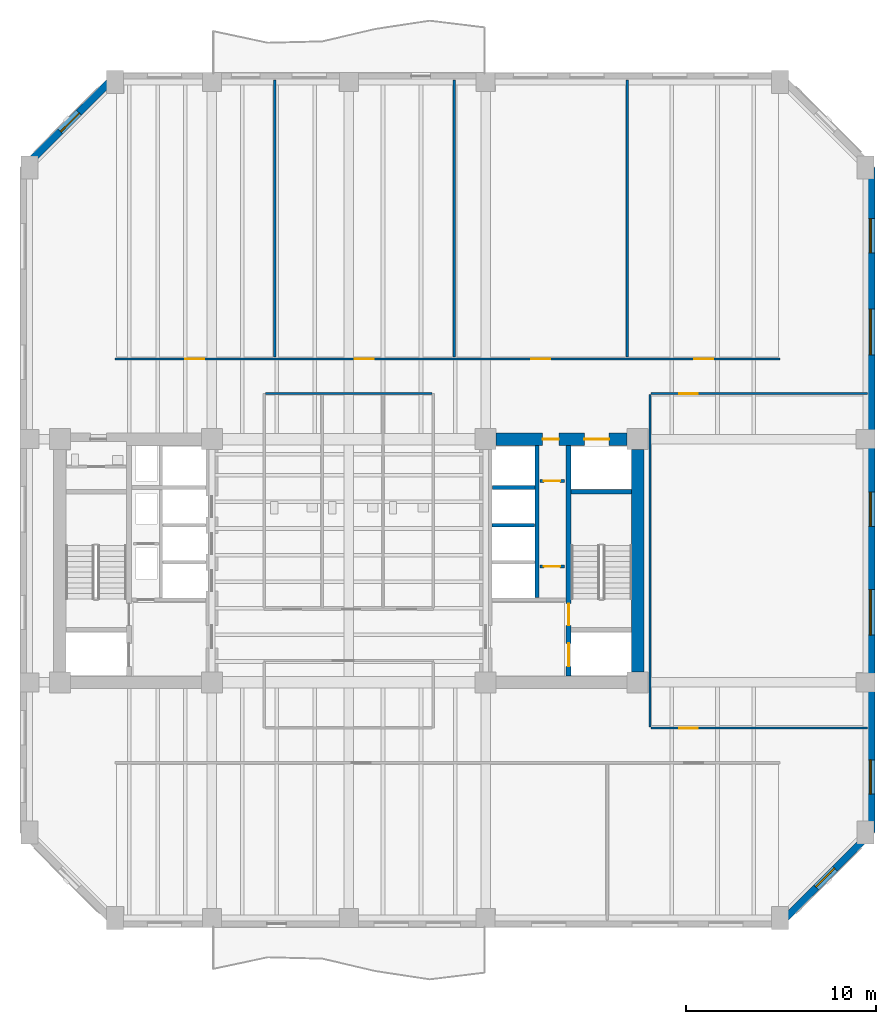
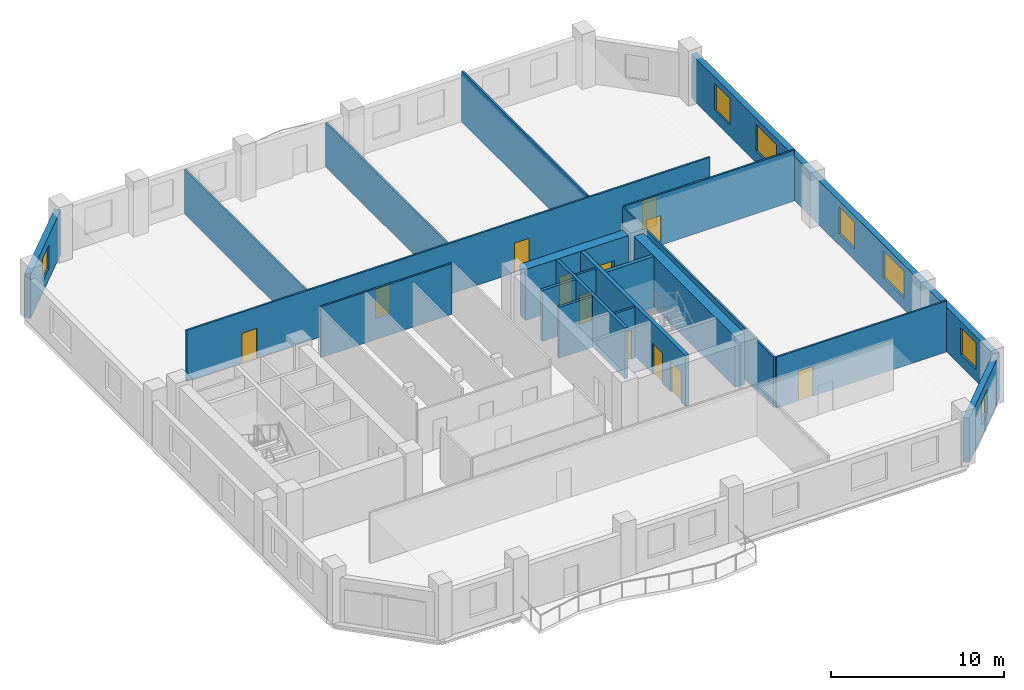
# One storey, part 4 of 9: 20 walls, 12 doors, 7 windows, 19 openings.
"""IFC4 building model written with IfcOpenShell, lengths in metres."""

from ifc_helpers import new_model, si_unit, direction, frame, frame_2d, origin, place, context, subcontext, project, spatial, rectangle, extrude, material, layer, layer_set, type_object, element, fill, save


model = new_model("IFC4")

# Units and contexts
model_context = context("Model", 3, precision=1e-05, world=origin(), true_north=direction((0.0, 1.0)))
body_context = subcontext(model_context, "Body", "Model", "MODEL_VIEW")
ifc_project = project(units=[si_unit("LENGTHUNIT", "METRE"), si_unit("AREAUNIT", "SQUARE_METRE"), si_unit("VOLUMEUNIT", "CUBIC_METRE"), si_unit("PLANEANGLEUNIT", "RADIAN"), si_unit("MASSUNIT", "GRAM", prefix="KILO")], contexts=[model_context])

# Site, building, storey
site_placement = place(None, origin())
site = spatial("IfcSite", under=ifc_project, at=site_placement, CompositionType="ELEMENT")
building_placement = place(site_placement, origin())
building = spatial("IfcBuilding", under=site, at=building_placement, Name="Kranthara Brick Stack", CompositionType="ELEMENT")
storey_placement = place(building_placement, frame((0.0, 0.0, 78.89990234375)))
storey = spatial("IfcBuildingStorey", under=building, at=storey_placement, Name="L19", CompositionType="ELEMENT", Elevation=78.89990234375)

# Wall, opening, window
ifc_material_1 = material(Name="Kiln-fired clay brick masonry M15", Category="masonry")
ifc_layer_1 = layer(ifc_material_1, 0.3798828125)
ifc_layer_set_1 = layer_set([ifc_layer_1], Name="Kiln-fired clay brick masonry M15")
wall_type_1 = type_object("IfcWallType", Name="WL-BRK-PIER-380", PredefinedType="STANDARD", material=ifc_layer_set_1)
wall_1_placement = place(storey_placement, frame((10.909912109375, 47.89990234375, 0.0), z_axis=(0.0, 0.0, 1.0), x_axis=(0.707106781187, 0.707106781187, 0.0)))
wall_1 = element("IfcWall", 1, at=wall_1_placement, inside=storey, type_object=wall_type_1, Name="L19 Exterior Brick Facade Wall NW 1", PredefinedType="STANDARD", context=body_context, shape_type="SweptSolid", body=[
    extrude(rectangle(XDim=6.774169921875, YDim=0.3798828125, at=frame_2d((3.38720703125, 0.0))), origin(), (0.0, 0.0, 1.0), 3.135009765625),
])
opening_1_placement = place(wall_1_placement, frame((2.68701171875, 0.0, 0.800048828125)))
opening_1 = element("IfcOpeningElement", 2, at=opening_1_placement, cuts=wall_1, Name="Opening WN10", PredefinedType="OPENING", context=body_context, shape_type="SweptSolid", body=[
    extrude(rectangle(XDim=1.39990234375, YDim=1.64990234375, at=frame_2d((0.699951171875, 0.824951171875))), frame((0.0, 0.199951171875, 0.0), z_axis=(0.0, -1.0, 0.0), x_axis=(1.0, 0.0, 0.0)), (0.0, 0.0, 1.0), 0.39990234375),
])
ifc_material_2 = material(Name="Double-glazed low-E solar control glass", Category="glass")
window_type_1 = type_object("IfcWindowType", Name="WN-CHM-1400x1750", PartitioningType="SINGLE_PANEL", PredefinedType="WINDOW", material=ifc_material_2)
window_1_placement = place(opening_1_placement, origin())
window_1 = element("IfcWindow", 3, at=window_1_placement, inside=storey, type_object=window_type_1, Name="L19 NW Chamfer Corner Window", OverallHeight=1.64990234375, OverallWidth=1.39990234375, PartitioningType="SINGLE_PANEL", PredefinedType="WINDOW", context=body_context, shape_type="SweptSolid", body=[
    extrude(rectangle(XDim=1.39990234375, YDim=1.64990234375, at=frame_2d((0.699951171875, 0.824951171875))), frame((0.0, -0.010009765625, 0.0), z_axis=(0.0, -1.0, 0.0), x_axis=(1.0, 0.0, 0.0)), (0.0, 0.0, 1.0), 0.06005859375),
])
fill(opening_1, window_1)

# Wall, openings, windows
wall_2_placement = place(storey_placement, frame((55.489990234375, 47.89990234375, 0.0), z_axis=(0.0, 0.0, 1.0), x_axis=(0.0, -1.0, 0.0)))
wall_2 = element("IfcWall", 4, at=wall_2_placement, inside=storey, type_object=wall_type_1, Name="L19 Exterior Brick Facade Wall EAST 1", PredefinedType="STANDARD", context=body_context, shape_type="SweptSolid", body=[
    extrude(rectangle(XDim=35.0, YDim=0.3798828125, at=frame_2d((17.5, 0.0))), origin(), (0.0, 0.0, 1.0), 3.135009765625),
])
opening_2_placement = place(wall_2_placement, frame((2.693115234375, 0.0, 0.800048828125)))
opening_2 = element("IfcOpeningElement", 5, at=opening_2_placement, cuts=wall_2, Name="Opening WN01", PredefinedType="OPENING", context=body_context, shape_type="SweptSolid", body=[
    extrude(rectangle(XDim=1.800048828125, YDim=1.89990234375, at=frame_2d((0.89990234375, 0.949951171875))), frame((0.0, 0.199951171875, 0.0), z_axis=(0.0, -1.0, 0.0), x_axis=(1.0, 0.0, 0.0)), (0.0, 0.0, 1.0), 0.39990234375),
])
opening_3_placement = place(wall_2_placement, frame((7.45703125, 0.0, 0.800048828125)))
opening_3 = element("IfcOpeningElement", 6, at=opening_3_placement, cuts=wall_2, Name="Opening WN02", PredefinedType="OPENING", context=body_context, shape_type="SweptSolid", body=[
    extrude(rectangle(XDim=2.39990234375, YDim=1.89990234375, at=frame_2d((1.199951171875, 0.949951171875))), frame((0.0, 0.199951171875, 0.0), z_axis=(0.0, -1.0, 0.0), x_axis=(1.0, 0.0, 0.0)), (0.0, 0.0, 1.0), 0.39990234375),
])
opening_4_placement = place(wall_2_placement, frame((17.087890625, 0.0, 0.800048828125)))
opening_4 = element("IfcOpeningElement", 7, at=opening_4_placement, cuts=wall_2, Name="Opening WN01", PredefinedType="OPENING", context=body_context, shape_type="SweptSolid", body=[
    extrude(rectangle(XDim=1.800048828125, YDim=1.89990234375, at=frame_2d((0.89990234375, 0.949951171875))), frame((0.0, 0.199951171875, 0.0), z_axis=(0.0, -1.0, 0.0), x_axis=(1.0, 0.0, 0.0)), (0.0, 0.0, 1.0), 0.39990234375),
])
opening_5_placement = place(wall_2_placement, frame((22.2119140625, 0.0, 0.800048828125)))
opening_5 = element("IfcOpeningElement", 8, at=opening_5_placement, cuts=wall_2, Name="Opening WN02", PredefinedType="OPENING", context=body_context, shape_type="SweptSolid", body=[
    extrude(rectangle(XDim=2.39990234375, YDim=1.89990234375, at=frame_2d((1.199951171875, 0.949951171875))), frame((0.0, 0.199951171875, 0.0), z_axis=(0.0, -1.0, 0.0), x_axis=(1.0, 0.0, 0.0)), (0.0, 0.0, 1.0), 0.39990234375),
])
opening_6_placement = place(wall_2_placement, frame((31.175048828125, 0.0, 0.800048828125)))
opening_6 = element("IfcOpeningElement", 9, at=opening_6_placement, cuts=wall_2, Name="Opening WN01", PredefinedType="OPENING", context=body_context, shape_type="SweptSolid", body=[
    extrude(rectangle(XDim=1.800048828125, YDim=1.89990234375, at=frame_2d((0.89990234375, 0.949951171875))), frame((0.0, 0.199951171875, 0.0), z_axis=(0.0, -1.0, 0.0), x_axis=(1.0, 0.0, 0.0)), (0.0, 0.0, 1.0), 0.39990234375),
])
ifc_material_3 = material(Name="Double-glazed low-E solar control glass", Category="glass")
window_type_2 = type_object("IfcWindowType", Name="WN-OFF-1800x2000", PartitioningType="SINGLE_PANEL", PredefinedType="WINDOW", material=ifc_material_3)
window_2_placement = place(opening_2_placement, origin())
window_2 = element("IfcWindow", 10, at=window_2_placement, inside=storey, type_object=window_type_2, Name="L19 East Deep-Set Brick Window 01", OverallHeight=1.89990234375, OverallWidth=1.800048828125, PartitioningType="SINGLE_PANEL", PredefinedType="WINDOW", context=body_context, shape_type="SweptSolid", body=[
    extrude(rectangle(XDim=1.800048828125, YDim=1.89990234375, at=frame_2d((0.89990234375, 0.949951171875))), frame((0.0, -0.010009765625, 0.0), z_axis=(0.0, -1.0, 0.0), x_axis=(1.0, 0.0, 0.0)), (0.0, 0.0, 1.0), 0.06005859375),
])
fill(opening_2, window_2)
window_3_placement = place(opening_4_placement, origin())
window_3 = element("IfcWindow", 11, at=window_3_placement, inside=storey, type_object=window_type_2, Name="L19 East Deep-Set Brick Window 03", OverallHeight=1.89990234375, OverallWidth=1.800048828125, PartitioningType="SINGLE_PANEL", PredefinedType="WINDOW", context=body_context, shape_type="SweptSolid", body=[
    extrude(rectangle(XDim=1.800048828125, YDim=1.89990234375, at=frame_2d((0.89990234375, 0.949951171875))), frame((0.0, -0.010009765625, 0.0), z_axis=(0.0, -1.0, 0.0), x_axis=(1.0, 0.0, 0.0)), (0.0, 0.0, 1.0), 0.06005859375),
])
fill(opening_4, window_3)
window_4_placement = place(opening_6_placement, origin())
window_4 = element("IfcWindow", 12, at=window_4_placement, inside=storey, type_object=window_type_2, Name="L19 East Deep-Set Brick Window 05", OverallHeight=1.89990234375, OverallWidth=1.800048828125, PartitioningType="SINGLE_PANEL", PredefinedType="WINDOW", context=body_context, shape_type="SweptSolid", body=[
    extrude(rectangle(XDim=1.800048828125, YDim=1.89990234375, at=frame_2d((0.89990234375, 0.949951171875))), frame((0.0, -0.010009765625, 0.0), z_axis=(0.0, -1.0, 0.0), x_axis=(1.0, 0.0, 0.0)), (0.0, 0.0, 1.0), 0.06005859375),
])
fill(opening_6, window_4)
ifc_material_4 = material(Name="Double-glazed low-E solar control glass", Category="glass")
window_type_3 = type_object("IfcWindowType", Name="WN-OFF-2400x2000", PartitioningType="DOUBLE_PANEL_VERTICAL", PredefinedType="WINDOW", material=ifc_material_4)
window_5_placement = place(opening_3_placement, origin())
window_5 = element("IfcWindow", 13, at=window_5_placement, inside=storey, type_object=window_type_3, Name="L19 East Deep-Set Brick Window 02", OverallHeight=1.89990234375, OverallWidth=2.39990234375, PartitioningType="SINGLE_PANEL", PredefinedType="WINDOW", context=body_context, shape_type="SweptSolid", body=[
    extrude(rectangle(XDim=2.39990234375, YDim=1.89990234375, at=frame_2d((1.199951171875, 0.949951171875))), frame((0.0, -0.010009765625, 0.0), z_axis=(0.0, -1.0, 0.0), x_axis=(1.0, 0.0, 0.0)), (0.0, 0.0, 1.0), 0.06005859375),
])
fill(opening_3, window_5)
window_6_placement = place(opening_5_placement, origin())
window_6 = element("IfcWindow", 14, at=window_6_placement, inside=storey, type_object=window_type_3, Name="L19 East Deep-Set Brick Window 04", OverallHeight=1.89990234375, OverallWidth=2.39990234375, PartitioningType="SINGLE_PANEL", PredefinedType="WINDOW", context=body_context, shape_type="SweptSolid", body=[
    extrude(rectangle(XDim=2.39990234375, YDim=1.89990234375, at=frame_2d((1.199951171875, 0.949951171875))), frame((0.0, -0.010009765625, 0.0), z_axis=(0.0, -1.0, 0.0), x_axis=(1.0, 0.0, 0.0)), (0.0, 0.0, 1.0), 0.06005859375),
])
fill(opening_5, window_6)

# Wall, opening, window
wall_3_placement = place(storey_placement, frame((55.489990234375, 12.89990234375, 0.0), z_axis=(0.0, 0.0, 1.0), x_axis=(-0.707124801467, -0.707088760447, 0.0)))
wall_3 = element("IfcWall", 15, at=wall_3_placement, inside=storey, type_object=wall_type_1, Name="L19 Exterior Brick Facade Wall SE 1", PredefinedType="STANDARD", context=body_context, shape_type="SweptSolid", body=[
    extrude(rectangle(XDim=6.77392578125, YDim=0.3798828125, at=frame_2d((3.386962890625, 0.0))), origin(), (0.0, 0.0, 1.0), 3.135009765625),
])
opening_7_placement = place(wall_3_placement, frame((2.68701171875, 0.0, 0.800048828125)))
opening_7 = element("IfcOpeningElement", 16, at=opening_7_placement, cuts=wall_3, Name="Opening WN10", PredefinedType="OPENING", context=body_context, shape_type="SweptSolid", body=[
    extrude(rectangle(XDim=1.39990234375, YDim=1.64990234375, at=frame_2d((0.699951171875, 0.824951171875))), frame((0.0, 0.199951171875, 0.0), z_axis=(0.0, -1.0, 0.0), x_axis=(1.0, 0.0, 0.0)), (0.0, 0.0, 1.0), 0.39990234375),
])
window_7_placement = place(opening_7_placement, origin())
window_7 = element("IfcWindow", 17, at=window_7_placement, inside=storey, type_object=window_type_1, Name="L19 SE Chamfer Corner Window", OverallHeight=1.64990234375, OverallWidth=1.39990234375, PartitioningType="SINGLE_PANEL", PredefinedType="WINDOW", context=body_context, shape_type="SweptSolid", body=[
    extrude(rectangle(XDim=1.39990234375, YDim=1.64990234375, at=frame_2d((0.699951171875, 0.824951171875))), frame((0.0, -0.010009765625, 0.0), z_axis=(0.0, -1.0, 0.0), x_axis=(1.0, 0.0, 0.0)), (0.0, 0.0, 1.0), 0.06005859375),
])
fill(opening_7, window_7)

# Wall, openings, doors
ifc_material_5 = material(Name="Concrete C50/60", Category="concrete")
ifc_layer_2 = layer(ifc_material_5, 0.25)
ifc_layer_set_2 = layer_set([ifc_layer_2], Name="Concrete C50/60")
wall_type_2 = type_object("IfcWallType", Name="WL-CORE-250", PredefinedType="SHEAR", material=ifc_layer_set_2)
wall_4_placement = place(storey_placement, frame((39.56494140625, 21.135009765625, 0.0), z_axis=(0.0, 0.0, 1.0), x_axis=(0.0, 1.0, 0.0)))
wall_4 = element("IfcWall", 18, at=wall_4_placement, inside=storey, type_object=wall_type_2, Name="L19 East Core Stair Bearing Spine Wall", PredefinedType="SHEAR", context=body_context, shape_type="SweptSolid", body=[
    extrude(rectangle(XDim=12.1298828125, YDim=0.25, at=frame_2d((6.06494140625, 0.0))), origin(), (0.0, 0.0, 1.0), 3.60009765625),
])
opening_8_placement = place(wall_4_placement, frame((0.514892578125, 0.0, 0.0)))
opening_8 = element("IfcOpeningElement", 19, at=opening_8_placement, cuts=wall_4, Name="Opening LD01", PredefinedType="OPENING", context=body_context, shape_type="SweptSolid", body=[
    extrude(rectangle(XDim=1.199951171875, YDim=2.14990234375, at=frame_2d((0.60009765625, 1.074951171875))), frame((0.0, 0.135009765625, 0.0), z_axis=(0.0, -1.0, 0.0), x_axis=(1.0, 0.0, 0.0)), (0.0, 0.0, 1.0), 0.27001953125),
])
opening_9_placement = place(wall_4_placement, frame((2.6650390625, 0.0, 0.0)))
opening_9 = element("IfcOpeningElement", 20, at=opening_9_placement, cuts=wall_4, Name="Opening D05", PredefinedType="OPENING", context=body_context, shape_type="SweptSolid", body=[
    extrude(rectangle(XDim=1.14990234375, YDim=2.14990234375, at=frame_2d((0.574951171875, 1.074951171875))), frame((0.0, 0.135009765625, 0.0), z_axis=(0.0, -1.0, 0.0), x_axis=(1.0, 0.0, 0.0)), (0.0, 0.0, 1.0), 0.27001953125),
])
ifc_material_6 = material(Name="Stainless steel sliding landing door", Category="steel")
door_type_1 = type_object("IfcDoorType", Name="DR-LD-FF1200", OperationType="DOUBLE_DOOR_SLIDING", PredefinedType="DOOR", material=ifc_material_6)
door_1_placement = place(opening_8_placement, origin())
door_1 = element("IfcDoor", 21, at=door_1_placement, inside=storey, type_object=door_type_1, Name="L19 Firefighting Lift FF-02 Landing Door", OperationType="DOUBLE_DOOR_SLIDING", OverallHeight=2.14990234375, OverallWidth=1.199951171875, PredefinedType="DOOR", context=body_context, shape_type="SweptSolid", body=[
    extrude(rectangle(XDim=1.199951171875, YDim=2.14990234375, at=frame_2d((0.60009765625, 1.074951171875))), frame((0.0, 0.02490234375, 0.0), z_axis=(0.0, -1.0, 0.0), x_axis=(1.0, 0.0, 0.0)), (0.0, 0.0, 1.0), 0.050048828125),
])
fill(opening_8, door_1)
ifc_material_7 = material(Name="Solid-core hardwood timber leaf in steel frame", Category="steel")
door_type_2 = type_object("IfcDoorType", Name="DR-ST-1150", OperationType="NOTDEFINED", PredefinedType="DOOR", material=ifc_material_7)
door_2_placement = place(opening_9_placement, origin())
door_2 = element("IfcDoor", 22, at=door_2_placement, inside=storey, type_object=door_type_2, Name="L19 Exit Stair ST02 Door", OperationType="SINGLE_SWING_LEFT", OverallHeight=2.14990234375, OverallWidth=1.14990234375, PredefinedType="DOOR", context=body_context, shape_type="SweptSolid", body=[
    extrude(rectangle(XDim=1.14990234375, YDim=2.14990234375, at=frame_2d((0.574951171875, 1.074951171875))), frame((0.0, 0.02490234375, 0.0), z_axis=(0.0, -1.0, 0.0), x_axis=(1.0, 0.0, 0.0)), (0.0, 0.0, 1.0), 0.050048828125),
])
fill(opening_9, door_2)

# Walls
wall_5_placement = place(storey_placement, frame((39.68994140625, 30.830078125, 0.0), z_axis=(0.0, 0.0, 1.0), x_axis=(1.0, 0.0, 0.0)))
element("IfcWall", 23, at=wall_5_placement, inside=storey, type_object=wall_type_2, Name="L19 East Stairwell Bearing Wall EST", PredefinedType="SHEAR", context=body_context, shape_type="SweptSolid", body=[
    extrude(rectangle(XDim=3.175048828125, YDim=0.25, at=frame_2d((1.58740234375, 0.0))), origin(), (0.0, 0.0, 1.0), 3.60009765625),
])
ifc_material_8 = material(Name="Concrete C60/75", Category="concrete")
ifc_layer_3 = layer(ifc_material_8, 0.64990234375)
ifc_layer_set_3 = layer_set([ifc_layer_3], Name="Concrete C60/75")
wall_type_3 = type_object("IfcWallType", Name="WL-CORE-650", PredefinedType="SHEAR", material=ifc_layer_set_3)
wall_6_placement = place(storey_placement, frame((43.199951171875, 21.35498046875, 0.0), z_axis=(0.0, 0.0, 1.0), x_axis=(0.0, 1.0, 0.0)))
element("IfcWall", 24, at=wall_6_placement, inside=storey, type_object=wall_type_3, Name="L19 East Core Shear Wall East", PredefinedType="SHEAR", context=body_context, shape_type="SweptSolid", body=[
    extrude(rectangle(XDim=11.68994140625, YDim=0.64990234375, at=frame_2d((5.844970703125, 0.0))), origin(), (0.0, 0.0, 1.0), 3.60009765625),
])

# Wall, openings, doors
wall_7_placement = place(storey_placement, frame((35.7548828125, 33.60009765625, 0.0), z_axis=(0.0, 0.0, 1.0), x_axis=(1.0, 0.0, 0.0)))
wall_7 = element("IfcWall", 25, at=wall_7_placement, inside=storey, type_object=wall_type_3, Name="L19 East Core Shear Wall North", PredefinedType="SHEAR", context=body_context, shape_type="SweptSolid", body=[
    extrude(rectangle(XDim=6.89013671875, YDim=0.64990234375, at=frame_2d((3.445068359375, 0.0))), origin(), (0.0, 0.0, 1.0), 3.60009765625),
])
opening_10_placement = place(wall_7_placement, frame((4.64501953125, 0.0, 0.0)))
opening_10 = element("IfcOpeningElement", 26, at=opening_10_placement, cuts=wall_7, Name="Opening LD03", PredefinedType="OPENING", context=body_context, shape_type="SweptSolid", body=[
    extrude(rectangle(XDim=1.300048828125, YDim=2.14990234375, at=frame_2d((0.64990234375, 1.074951171875))), frame((0.0, 0.3349609375, 0.0), z_axis=(0.0, -1.0, 0.0), x_axis=(1.0, 0.0, 0.0)), (0.0, 0.0, 1.0), 0.669921875),
])
opening_11_placement = place(wall_7_placement, frame((2.445068359375, 0.0, 0.0)))
opening_11 = element("IfcOpeningElement", 27, at=opening_11_placement, cuts=wall_7, Name="Opening D10", PredefinedType="OPENING", context=body_context, shape_type="SweptSolid", body=[
    extrude(rectangle(XDim=0.85009765625, YDim=2.02001953125, at=frame_2d((0.425048828125, 1.010009765625))), frame((0.0, 0.3349609375, 0.0), z_axis=(0.0, -1.0, 0.0), x_axis=(1.0, 0.0, 0.0)), (0.0, 0.0, 1.0), 0.669921875),
])
ifc_material_9 = material(Name="Stainless steel sliding landing door", Category="steel")
door_type_3 = type_object("IfcDoorType", Name="DR-LD-SV1300", OperationType="DOUBLE_DOOR_SLIDING", PredefinedType="DOOR", material=ifc_material_9)
door_3_placement = place(opening_10_placement, origin())
door_3 = element("IfcDoor", 28, at=door_3_placement, inside=storey, type_object=door_type_3, Name="L19 Stretcher Service Lift SV-01 Landing Door", OperationType="DOUBLE_DOOR_SLIDING", OverallHeight=2.14990234375, OverallWidth=1.300048828125, PredefinedType="DOOR", context=body_context, shape_type="SweptSolid", body=[
    extrude(rectangle(XDim=1.300048828125, YDim=2.14990234375, at=frame_2d((0.64990234375, 1.074951171875))), frame((0.0, 0.02490234375, 0.0), z_axis=(0.0, -1.0, 0.0), x_axis=(1.0, 0.0, 0.0)), (0.0, 0.0, 1.0), 0.050048828125),
])
fill(opening_10, door_3)
ifc_material_10 = material(Name="Solid-core hardwood timber leaf in steel frame", Category="steel")
door_type_4 = type_object("IfcDoorType", Name="DR-RSR-850", OperationType="NOTDEFINED", PredefinedType="DOOR", material=ifc_material_10)
door_4_placement = place(opening_11_placement, origin())
door_4 = element("IfcDoor", 29, at=door_4_placement, inside=storey, type_object=door_type_4, Name="L19 East Core Service Room Door", OperationType="SINGLE_SWING_LEFT", OverallHeight=2.02001953125, OverallWidth=0.85009765625, PredefinedType="DOOR", context=body_context, shape_type="SweptSolid", body=[
    extrude(rectangle(XDim=0.85009765625, YDim=2.02001953125, at=frame_2d((0.425048828125, 1.010009765625))), frame((0.0, 0.02490234375, 0.0), z_axis=(0.0, -1.0, 0.0), x_axis=(1.0, 0.0, 0.0)), (0.0, 0.0, 1.0), 0.050048828125),
])
fill(opening_11, door_4)

# Wall
ifc_material_11 = material(Name="Acoustic gypsum plasterboard partition", Category="other")
ifc_layer_4 = layer(ifc_material_11, 0.1201171875)
ifc_layer_set_4 = layer_set([ifc_layer_4], Name="Acoustic gypsum plasterboard partition")
wall_type_4 = type_object("IfcWallType", Name="WL-PART-120", PredefinedType="PARTITIONING", material=ifc_layer_set_4)
wall_8_placement = place(storey_placement, frame((23.614990234375, 36.0, 0.0), z_axis=(0.0, 0.0, 1.0), x_axis=(1.0, 0.0, 0.0)))
element("IfcWall", 30, at=wall_8_placement, inside=storey, type_object=wall_type_4, Name="L19 Interior Partition 010", PredefinedType="PARTITIONING", context=body_context, shape_type="SweptSolid", body=[
    extrude(rectangle(XDim=8.77001953125, YDim=0.1201171875, at=frame_2d((4.385009765625, 0.0))), origin(), (0.0, 0.0, 1.0), 3.60009765625),
])

# Wall, openings, doors
wall_9_placement = place(storey_placement, frame((15.699951171875, 37.820068359375, 0.0), z_axis=(0.0, 0.0, 1.0), x_axis=(1.0, 0.0, 0.0)))
wall_9 = element("IfcWall", 31, at=wall_9_placement, inside=storey, type_object=wall_type_4, Name="L19 Interior Partition 017", PredefinedType="PARTITIONING", context=body_context, shape_type="SweptSolid", body=[
    extrude(rectangle(XDim=35.0, YDim=0.1201171875, at=frame_2d((17.5, 0.0))), origin(), (0.0, 0.0, 1.0), 3.60009765625),
])
opening_12_placement = place(wall_9_placement, frame((3.699951171875, 0.0, 0.0)))
opening_12 = element("IfcOpeningElement", 32, at=opening_12_placement, cuts=wall_9, Name="Opening D13", PredefinedType="OPENING", context=body_context, shape_type="SweptSolid", body=[
    extrude(rectangle(XDim=1.0, YDim=2.10009765625, at=frame_2d((0.5, 1.050048828125))), frame((0.0, 0.070068359375, 0.0), z_axis=(0.0, -1.0, 0.0), x_axis=(1.0, 0.0, 0.0)), (0.0, 0.0, 1.0), 0.14013671875),
])
opening_13_placement = place(wall_9_placement, frame((12.625, 0.0, 0.0)))
opening_13 = element("IfcOpeningElement", 33, at=opening_13_placement, cuts=wall_9, Name="Opening D13", PredefinedType="OPENING", context=body_context, shape_type="SweptSolid", body=[
    extrude(rectangle(XDim=1.0, YDim=2.10009765625, at=frame_2d((0.5, 1.050048828125))), frame((0.0, 0.070068359375, 0.0), z_axis=(0.0, -1.0, 0.0), x_axis=(1.0, 0.0, 0.0)), (0.0, 0.0, 1.0), 0.14013671875),
])
opening_14_placement = place(wall_9_placement, frame((21.89990234375, 0.0, 0.0)))
opening_14 = element("IfcOpeningElement", 34, at=opening_14_placement, cuts=wall_9, Name="Opening D13", PredefinedType="OPENING", context=body_context, shape_type="SweptSolid", body=[
    extrude(rectangle(XDim=1.0, YDim=2.10009765625, at=frame_2d((0.5, 1.050048828125))), frame((0.0, 0.070068359375, 0.0), z_axis=(0.0, -1.0, 0.0), x_axis=(1.0, 0.0, 0.0)), (0.0, 0.0, 1.0), 0.14013671875),
])
opening_15_placement = place(wall_9_placement, frame((30.47509765625, 0.0, 0.0)))
opening_15 = element("IfcOpeningElement", 35, at=opening_15_placement, cuts=wall_9, Name="Opening D13", PredefinedType="OPENING", context=body_context, shape_type="SweptSolid", body=[
    extrude(rectangle(XDim=1.0, YDim=2.10009765625, at=frame_2d((0.5, 1.050048828125))), frame((0.0, 0.070068359375, 0.0), z_axis=(0.0, -1.0, 0.0), x_axis=(1.0, 0.0, 0.0)), (0.0, 0.0, 1.0), 0.14013671875),
])
ifc_material_12 = material(Name="Solid-core hardwood timber leaf in steel frame", Category="steel")
door_type_5 = type_object("IfcDoorType", Name="DR-INT-1000", OperationType="NOTDEFINED", PredefinedType="DOOR", material=ifc_material_12)
door_5_placement = place(opening_12_placement, origin())
door_5 = element("IfcDoor", 36, at=door_5_placement, inside=storey, type_object=door_type_5, Name="L19 Executive Cellular Office 11", OperationType="SINGLE_SWING_LEFT", OverallHeight=2.10009765625, OverallWidth=1.0, PredefinedType="DOOR", context=body_context, shape_type="SweptSolid", body=[
    extrude(rectangle(XDim=1.0, YDim=2.10009765625, at=frame_2d((0.5, 1.050048828125))), frame((0.0, 0.02490234375, 0.0), z_axis=(0.0, -1.0, 0.0), x_axis=(1.0, 0.0, 0.0)), (0.0, 0.0, 1.0), 0.050048828125),
])
fill(opening_12, door_5)
door_6_placement = place(opening_13_placement, origin())
door_6 = element("IfcDoor", 37, at=door_6_placement, inside=storey, type_object=door_type_5, Name="L19 Meeting Room 12", OperationType="SINGLE_SWING_RIGHT", OverallHeight=2.10009765625, OverallWidth=1.0, PredefinedType="DOOR", context=body_context, shape_type="SweptSolid", body=[
    extrude(rectangle(XDim=1.0, YDim=2.10009765625, at=frame_2d((0.5, 1.050048828125))), frame((0.0, 0.02490234375, 0.0), z_axis=(0.0, -1.0, 0.0), x_axis=(1.0, 0.0, 0.0)), (0.0, 0.0, 1.0), 0.050048828125),
])
fill(opening_13, door_6)
door_7_placement = place(opening_14_placement, origin())
door_7 = element("IfcDoor", 38, at=door_7_placement, inside=storey, type_object=door_type_5, Name="L19 Boardroom 13", OperationType="SINGLE_SWING_LEFT", OverallHeight=2.10009765625, OverallWidth=1.0, PredefinedType="DOOR", context=body_context, shape_type="SweptSolid", body=[
    extrude(rectangle(XDim=1.0, YDim=2.10009765625, at=frame_2d((0.5, 1.050048828125))), frame((0.0, 0.02490234375, 0.0), z_axis=(0.0, -1.0, 0.0), x_axis=(1.0, 0.0, 0.0)), (0.0, 0.0, 1.0), 0.050048828125),
])
fill(opening_14, door_7)
door_8_placement = place(opening_15_placement, origin())
door_8 = element("IfcDoor", 39, at=door_8_placement, inside=storey, type_object=door_type_5, Name="L19 Collaboration Lounge 14", OperationType="SINGLE_SWING_RIGHT", OverallHeight=2.10009765625, OverallWidth=1.0, PredefinedType="DOOR", context=body_context, shape_type="SweptSolid", body=[
    extrude(rectangle(XDim=1.0, YDim=2.10009765625, at=frame_2d((0.5, 1.050048828125))), frame((0.0, 0.02490234375, 0.0), z_axis=(0.0, -1.0, 0.0), x_axis=(1.0, 0.0, 0.0)), (0.0, 0.0, 1.0), 0.050048828125),
])
fill(opening_15, door_8)

# Walls
for number, where, z_axis, x_axis, name in (
    (40, (24.10009765625, 37.919921875, 0.0), (0.0, 0.0, 1.0), (0.0, 1.0, 0.0), "L19 Interior Partition 018"),
    (41, (33.550048828125, 37.919921875, 0.0), (0.0, 0.0, 1.0), (0.0, 1.0, 0.0), "L19 Interior Partition 019"),
):
    element("IfcWall", number, at=place(storey_placement, frame(where, z_axis=z_axis, x_axis=x_axis)), inside=storey, type_object=wall_type_4, Name=name, PredefinedType="PARTITIONING", context=body_context, shape_type="SweptSolid", body=[
        extrude(rectangle(XDim=14.5751953125, YDim=0.1201171875, at=frame_2d((7.28759765625, 0.0))), origin(), (0.0, 0.0, 1.0), 3.135009765625),
    ])
wall_10_placement = place(storey_placement, frame((42.64990234375, 37.919921875, 0.0), z_axis=(0.0, 0.0, 1.0), x_axis=(0.0, 1.0, 0.0)))
element("IfcWall", 42, at=wall_10_placement, inside=storey, type_object=wall_type_4, Name="L19 Interior Partition 020", PredefinedType="PARTITIONING", context=body_context, shape_type="SweptSolid", body=[
    extrude(rectangle(XDim=14.5751953125, YDim=0.1201171875, at=frame_2d((7.28759765625, 0.0))), origin(), (0.0, 0.0, 1.0), 3.60009765625),
])
wall_11_placement = place(storey_placement, frame((43.85009765625, 18.449951171875, 0.0), z_axis=(0.0, 0.0, 1.0), x_axis=(0.0, 1.0, 0.0)))
element("IfcWall", 43, at=wall_11_placement, inside=storey, type_object=wall_type_4, Name="L19 Interior Partition 021", PredefinedType="PARTITIONING", context=body_context, shape_type="SweptSolid", body=[
    extrude(rectangle(XDim=17.5, YDim=0.1201171875, at=frame_2d((8.75, 0.0))), origin(), (0.0, 0.0, 1.0), 3.60009765625),
])

# Wall, opening, door
wall_12_placement = place(storey_placement, frame((43.9150390625, 18.39990234375, 0.0), z_axis=(0.0, 0.0, 1.0), x_axis=(1.0, 0.0, 0.0)))
wall_12 = element("IfcWall", 44, at=wall_12_placement, inside=storey, type_object=wall_type_4, Name="L19 Interior Partition 022", PredefinedType="PARTITIONING", context=body_context, shape_type="SweptSolid", body=[
    extrude(rectangle(XDim=11.3798828125, YDim=0.1201171875, at=frame_2d((5.68994140625, 0.0))), origin(), (0.0, 0.0, 1.0), 3.60009765625),
])
opening_16_placement = place(wall_12_placement, frame((1.485107421875, 0.0, 0.0)))
opening_16 = element("IfcOpeningElement", 45, at=opening_16_placement, cuts=wall_12, Name="Opening D14", PredefinedType="OPENING", context=body_context, shape_type="SweptSolid", body=[
    extrude(rectangle(XDim=0.949951171875, YDim=2.10009765625, at=frame_2d((0.47509765625, 1.050048828125))), frame((0.0, 0.070068359375, 0.0), z_axis=(0.0, -1.0, 0.0), x_axis=(1.0, 0.0, 0.0)), (0.0, 0.0, 1.0), 0.14013671875),
])
ifc_material_13 = material(Name="Solid-core hardwood timber leaf in steel frame", Category="steel")
door_type_6 = type_object("IfcDoorType", Name="DR-INT-950", OperationType="NOTDEFINED", PredefinedType="DOOR", material=ifc_material_13)
door_9_placement = place(opening_16_placement, origin())
door_9 = element("IfcDoor", 46, at=door_9_placement, inside=storey, type_object=door_type_6, Name="L19 East South Office 15", OperationType="SINGLE_SWING_LEFT", OverallHeight=2.10009765625, OverallWidth=0.949951171875, PredefinedType="DOOR", context=body_context, shape_type="SweptSolid", body=[
    extrude(rectangle(XDim=0.949951171875, YDim=2.10009765625, at=frame_2d((0.47509765625, 1.050048828125))), frame((0.0, 0.02490234375, 0.0), z_axis=(0.0, -1.0, 0.0), x_axis=(1.0, 0.0, 0.0)), (0.0, 0.0, 1.0), 0.050048828125),
])
fill(opening_16, door_9)

wall_13_placement = place(storey_placement, frame((43.9150390625, 36.0, 0.0), z_axis=(0.0, 0.0, 1.0), x_axis=(1.0, 0.0, 0.0)))
wall_13 = element("IfcWall", 47, at=wall_13_placement, inside=storey, type_object=wall_type_4, Name="L19 Interior Partition 023", PredefinedType="PARTITIONING", context=body_context, shape_type="SweptSolid", body=[
    extrude(rectangle(XDim=11.3798828125, YDim=0.1201171875, at=frame_2d((5.68994140625, 0.0))), origin(), (0.0, 0.0, 1.0), 3.60009765625),
])
opening_17_placement = place(wall_13_placement, frame((1.485107421875, 0.0, 0.0)))
opening_17 = element("IfcOpeningElement", 48, at=opening_17_placement, cuts=wall_13, Name="Opening D14", PredefinedType="OPENING", context=body_context, shape_type="SweptSolid", body=[
    extrude(rectangle(XDim=0.949951171875, YDim=2.10009765625, at=frame_2d((0.47509765625, 1.050048828125))), frame((0.0, 0.070068359375, 0.0), z_axis=(0.0, -1.0, 0.0), x_axis=(1.0, 0.0, 0.0)), (0.0, 0.0, 1.0), 0.14013671875),
])
door_10_placement = place(opening_17_placement, origin())
door_10 = element("IfcDoor", 49, at=door_10_placement, inside=storey, type_object=door_type_6, Name="L19 East North Office 16", OperationType="SINGLE_SWING_RIGHT", OverallHeight=2.10009765625, OverallWidth=0.949951171875, PredefinedType="DOOR", context=body_context, shape_type="SweptSolid", body=[
    extrude(rectangle(XDim=0.949951171875, YDim=2.10009765625, at=frame_2d((0.47509765625, 1.050048828125))), frame((0.0, 0.02490234375, 0.0), z_axis=(0.0, -1.0, 0.0), x_axis=(1.0, 0.0, 0.0)), (0.0, 0.0, 1.0), 0.050048828125),
])
fill(opening_17, door_10)

ifc_material_14 = material(Name="Fire-rated gypsum board partition", Category="other")
ifc_layer_5 = layer(ifc_material_14, 0.14990234375)
ifc_layer_set_5 = layer_set([ifc_layer_5], Name="Fire-rated gypsum board partition")
wall_type_5 = type_object("IfcWallType", Name="WL-PART-150", PredefinedType="PARTITIONING", material=ifc_layer_set_5)
wall_14_placement = place(storey_placement, frame((38.050048828125, 26.89990234375, 0.0), z_axis=(0.0, 0.0, 1.0), x_axis=(1.0, 0.0, 0.0)))
wall_14 = element("IfcWall", 50, at=wall_14_placement, inside=storey, type_object=wall_type_5, Name="L19 Interior Partition 002", PredefinedType="PARTITIONING", context=body_context, shape_type="SweptSolid", body=[
    extrude(rectangle(XDim=1.300048828125, YDim=0.14990234375, at=frame_2d((0.64990234375, 0.0))), origin(), (0.0, 0.0, 1.0), 3.60009765625),
])
opening_18_placement = place(wall_14_placement, frame((0.219970703125, 0.0, 0.0)))
opening_18 = element("IfcOpeningElement", 51, at=opening_18_placement, cuts=wall_14, Name="Opening D10", PredefinedType="OPENING", context=body_context, shape_type="SweptSolid", body=[
    extrude(rectangle(XDim=0.85009765625, YDim=2.02001953125, at=frame_2d((0.425048828125, 1.010009765625))), frame((0.0, 0.0849609375, 0.0), z_axis=(0.0, -1.0, 0.0), x_axis=(1.0, 0.0, 0.0)), (0.0, 0.0, 1.0), 0.169921875),
])
door_11_placement = place(opening_18_placement, origin())
door_11 = element("IfcDoor", 52, at=door_11_placement, inside=storey, type_object=door_type_4, Name="L19 East Valve Door 02", OperationType="SINGLE_SWING_RIGHT", OverallHeight=2.02001953125, OverallWidth=0.85009765625, PredefinedType="DOOR", context=body_context, shape_type="SweptSolid", body=[
    extrude(rectangle(XDim=0.85009765625, YDim=2.02001953125, at=frame_2d((0.425048828125, 1.010009765625))), frame((0.0, 0.02490234375, 0.0), z_axis=(0.0, -1.0, 0.0), x_axis=(1.0, 0.0, 0.0)), (0.0, 0.0, 1.0), 0.050048828125),
])
fill(opening_18, door_11)

wall_15_placement = place(storey_placement, frame((38.050048828125, 31.39990234375, 0.0), z_axis=(0.0, 0.0, 1.0), x_axis=(1.0, 0.0, 0.0)))
wall_15 = element("IfcWall", 53, at=wall_15_placement, inside=storey, type_object=wall_type_5, Name="L19 Interior Partition 003", PredefinedType="PARTITIONING", context=body_context, shape_type="SweptSolid", body=[
    extrude(rectangle(XDim=1.300048828125, YDim=0.14990234375, at=frame_2d((0.64990234375, 0.0))), origin(), (0.0, 0.0, 1.0), 3.60009765625),
])
opening_19_placement = place(wall_15_placement, frame((0.219970703125, 0.0, 0.0)))
opening_19 = element("IfcOpeningElement", 54, at=opening_19_placement, cuts=wall_15, Name="Opening D10", PredefinedType="OPENING", context=body_context, shape_type="SweptSolid", body=[
    extrude(rectangle(XDim=0.85009765625, YDim=2.02001953125, at=frame_2d((0.425048828125, 1.010009765625))), frame((0.0, 0.0849609375, 0.0), z_axis=(0.0, -1.0, 0.0), x_axis=(1.0, 0.0, 0.0)), (0.0, 0.0, 1.0), 0.169921875),
])
door_12_placement = place(opening_19_placement, origin())
door_12 = element("IfcDoor", 55, at=door_12_placement, inside=storey, type_object=door_type_4, Name="L19 East Switch Door 03", OperationType="SINGLE_SWING_LEFT", OverallHeight=2.02001953125, OverallWidth=0.85009765625, PredefinedType="DOOR", context=body_context, shape_type="SweptSolid", body=[
    extrude(rectangle(XDim=0.85009765625, YDim=2.02001953125, at=frame_2d((0.425048828125, 1.010009765625))), frame((0.0, 0.02490234375, 0.0), z_axis=(0.0, -1.0, 0.0), x_axis=(1.0, 0.0, 0.0)), (0.0, 0.0, 1.0), 0.050048828125),
])
fill(opening_19, door_12)

# Walls
ifc_material_15 = material(Name="Gypsum plasterboard on acoustic twin stud", Category="other")
ifc_layer_6 = layer(ifc_material_15, 0.179931640625)
ifc_layer_set_6 = layer_set([ifc_layer_6], Name="Gypsum plasterboard on acoustic twin stud")
wall_type_6 = type_object("IfcWallType", Name="WL-PART-180", PredefinedType="PARTITIONING", material=ifc_layer_set_6)
wall_16_placement = place(storey_placement, frame((35.534912109375, 29.080078125, 0.0), z_axis=(0.0, 0.0, 1.0), x_axis=(1.0, 0.0, 0.0)))
element("IfcWall", 56, at=wall_16_placement, inside=storey, type_object=wall_type_6, Name="L19 East Hoistway Wall EH2", PredefinedType="PARTITIONING", context=body_context, shape_type="SweptSolid", body=[
    extrude(rectangle(XDim=2.2451171875, YDim=0.179931640625, at=frame_2d((1.12255859375, 0.0))), origin(), (0.0, 0.0, 1.0), 3.60009765625),
])
ifc_material_16 = material(Name="Concrete C40/50", Category="concrete")
ifc_layer_7 = layer(ifc_material_16, 0.199951171875)
ifc_layer_set_7 = layer_set([ifc_layer_7], Name="Concrete C40/50")
wall_type_7 = type_object("IfcWallType", Name="WL-PART-200", PredefinedType="SOLIDWALL", material=ifc_layer_set_7)
wall_17_placement = place(storey_placement, frame((35.550048828125, 31.050048828125, 0.0), z_axis=(0.0, 0.0, 1.0), x_axis=(1.0, 0.0, 0.0)))
element("IfcWall", 57, at=wall_17_placement, inside=storey, type_object=wall_type_7, Name="L19 East Core Cross Wall EE4", PredefinedType="SOLIDWALL", context=body_context, shape_type="SweptSolid", body=[
    extrude(rectangle(XDim=2.25, YDim=0.199951171875, at=frame_2d((1.125, 0.0))), origin(), (0.0, 0.0, 1.0), 3.60009765625),
])
wall_18_placement = place(storey_placement, frame((37.89990234375, 25.27001953125, 0.0), z_axis=(0.0, 0.0, 1.0), x_axis=(0.0, 1.0, 0.0)))
element("IfcWall", 58, at=wall_18_placement, inside=storey, type_object=wall_type_7, Name="L19 East Core Cross Wall ESV", PredefinedType="SOLIDWALL", context=body_context, shape_type="SweptSolid", body=[
    extrude(rectangle(XDim=7.994873046875, YDim=0.199951171875, at=frame_2d((3.99755859375, 0.0))), origin(), (0.0, 0.0, 1.0), 3.60009765625),
])

save(model, "model.ifc")
